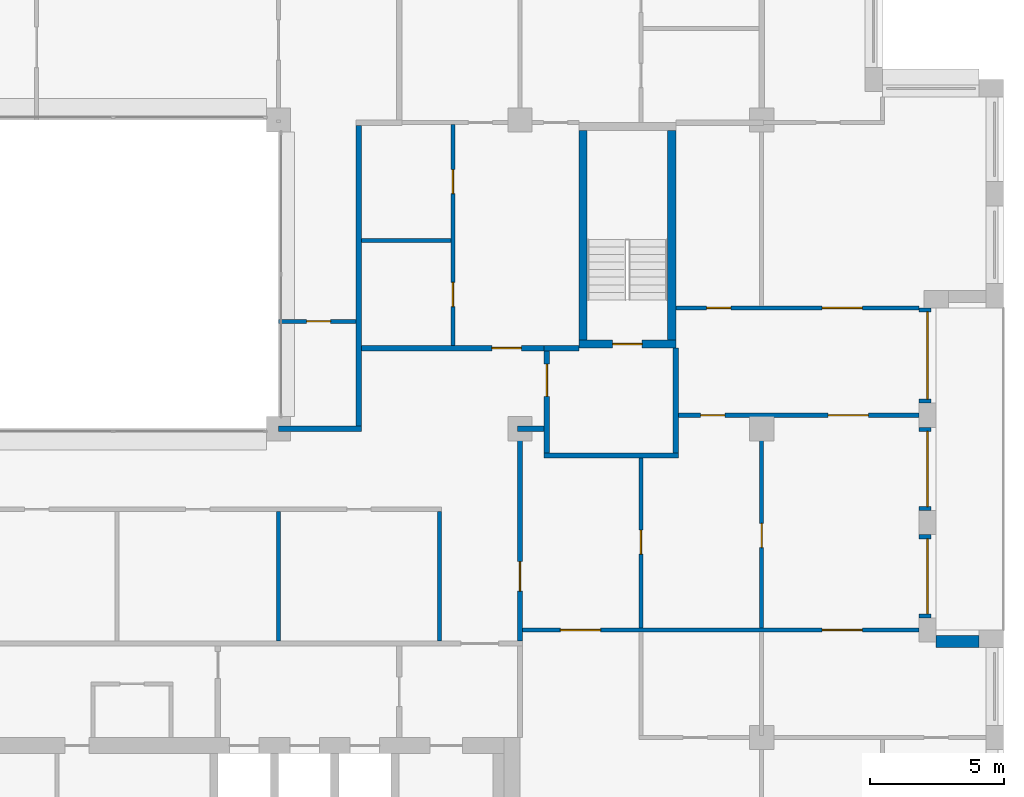
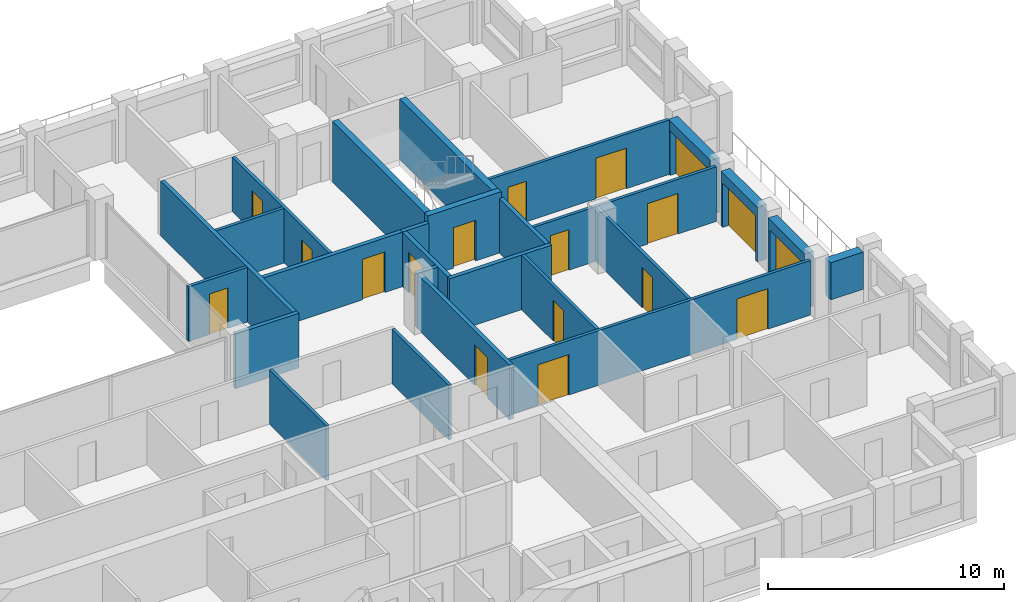
# One storey, part 12 of 16: 26 walls, 18 doors, 18 openings.
"""IFC4 building model written with IfcOpenShell, lengths in metres."""

from ifc_helpers import new_model, si_unit, direction, frame, frame_2d, origin, place, context, subcontext, project, spatial, rectangle, extrude, material, layer, layer_set, type_object, element, fill, save


model = new_model("IFC4")

# Units and contexts
model_context = context("Model", 3, precision=1e-05, world=origin(), true_north=direction((0.0, 1.0)))
body_context = subcontext(model_context, "Body", "Model", "MODEL_VIEW")
ifc_project = project(units=[si_unit("LENGTHUNIT", "METRE"), si_unit("AREAUNIT", "SQUARE_METRE"), si_unit("VOLUMEUNIT", "CUBIC_METRE"), si_unit("PLANEANGLEUNIT", "RADIAN"), si_unit("MASSUNIT", "GRAM", prefix="KILO")], contexts=[model_context])

# Site, building, storey
site_placement = place(None, origin())
site = spatial("IfcSite", under=ifc_project, at=site_placement, CompositionType="ELEMENT")
building_placement = place(site_placement, origin())
building = spatial("IfcBuilding", under=site, at=building_placement, Name="Brigalow Station Residences", CompositionType="ELEMENT")
storey_placement = place(building_placement, frame((0.0, 0.0, 201.14990234375)))
storey = spatial("IfcBuildingStorey", under=building, at=storey_placement, Name="L57", CompositionType="ELEMENT", Elevation=201.14990234375)

# Wall
ifc_material_1 = material(Name="Clay brick masonry", Category="masonry")
ifc_layer_1 = layer(ifc_material_1, 0.449951171875)
ifc_layer_set_1 = layer_set([ifc_layer_1], Name="BRICK INFILL WALL 450")
wall_type_1 = type_object("IfcWallType", Name="BRICK INFILL WALL 450", PredefinedType="SOLIDWALL", material=ifc_layer_set_1)
wall_1_placement = place(storey_placement, frame((71.10009765625, 16.074951171875, 0.900146484375), z_axis=(0.0, 0.0, 1.0), x_axis=(-1.0, 0.0, 0.0)))
element("IfcWall", 1, at=wall_1_placement, inside=storey, type_object=wall_type_1, Name="L57/ewall/W-L57-11", PredefinedType="SOLIDWALL", context=body_context, shape_type="SweptSolid", body=[
    extrude(rectangle(XDim=1.60009765625, YDim=0.449951171875, at=frame_2d((0.800048828125, 0.0))), origin(), (0.0, 0.0, 1.0), 1.929931640625),
])

# Wall, opening, door
wall_2_placement = place(storey_placement, frame((69.074951171875, 16.949951171875, 0.0), z_axis=(0.0, 0.0, 1.0), x_axis=(0.0, 1.0, 0.0)))
wall_2 = element("IfcWall", 2, at=wall_2_placement, inside=storey, type_object=wall_type_1, Name="L57/ewall/W-L57-12", PredefinedType="SOLIDWALL", context=body_context, shape_type="SweptSolid", body=[
    extrude(rectangle(XDim=3.10009765625, YDim=0.449951171875, at=frame_2d((1.550048828125, 0.0))), origin(), (0.0, 0.0, 1.0), 2.830078125),
])
opening_1_placement = place(wall_2_placement, frame((0.14990234375, 0.0, 0.0)))
opening_1 = element("IfcOpeningElement", 3, at=opening_1_placement, cuts=wall_2, Name="Opening D-B2800", PredefinedType="OPENING", context=body_context, shape_type="SweptSolid", body=[
    extrude(rectangle(XDim=2.800048828125, YDim=2.300048828125, at=frame_2d((1.39990234375, 1.14990234375))), frame((0.0, 0.23486328125, 0.0), z_axis=(0.0, -1.0, 0.0), x_axis=(1.0, 0.0, 0.0)), (0.0, 0.0, 1.0), 0.469970703125),
])
ifc_material_2 = material(Name="Anodised aluminium frame with double glazing", Category="aluminium")
door_type_1 = type_object("IfcDoorType", Name="BALCONY SLIDING DOOR 2800x2300", OperationType="SLIDING_TO_LEFT", PredefinedType="DOOR", material=ifc_material_2)
door_1_placement = place(opening_1_placement, origin())
door_1 = element("IfcDoor", 4, at=door_1_placement, inside=storey, type_object=door_type_1, Name="L57/balcony-door/W-L57-12", OperationType="SLIDING_TO_LEFT", OverallHeight=2.300048828125, OverallWidth=2.800048828125, PredefinedType="DOOR", context=body_context, shape_type="SweptSolid", body=[
    extrude(rectangle(XDim=2.800048828125, YDim=2.300048828125, at=frame_2d((1.39990234375, 1.14990234375))), frame((0.0, -0.06982421875, 0.0), z_axis=(0.0, -1.0, 0.0), x_axis=(1.0, 0.0, 0.0)), (0.0, 0.0, 1.0), 0.050048828125),
])
fill(opening_1, door_1)

wall_3_placement = place(storey_placement, frame((69.074951171875, 20.949951171875, 0.0), z_axis=(0.0, 0.0, 1.0), x_axis=(0.0, 1.0, 0.0)))
wall_3 = element("IfcWall", 5, at=wall_3_placement, inside=storey, type_object=wall_type_1, Name="L57/ewall/W-L57-13", PredefinedType="SOLIDWALL", context=body_context, shape_type="SweptSolid", body=[
    extrude(rectangle(XDim=3.10009765625, YDim=0.449951171875, at=frame_2d((1.550048828125, 0.0))), origin(), (0.0, 0.0, 1.0), 2.830078125),
])
opening_2_placement = place(wall_3_placement, frame((0.14990234375, 0.0, 0.0)))
opening_2 = element("IfcOpeningElement", 6, at=opening_2_placement, cuts=wall_3, Name="Opening D-B2800", PredefinedType="OPENING", context=body_context, shape_type="SweptSolid", body=[
    extrude(rectangle(XDim=2.800048828125, YDim=2.300048828125, at=frame_2d((1.39990234375, 1.14990234375))), frame((0.0, 0.23486328125, 0.0), z_axis=(0.0, -1.0, 0.0), x_axis=(1.0, 0.0, 0.0)), (0.0, 0.0, 1.0), 0.469970703125),
])
door_2_placement = place(opening_2_placement, origin())
door_2 = element("IfcDoor", 7, at=door_2_placement, inside=storey, type_object=door_type_1, Name="L57/balcony-door/W-L57-13", OperationType="SLIDING_TO_LEFT", OverallHeight=2.300048828125, OverallWidth=2.800048828125, PredefinedType="DOOR", context=body_context, shape_type="SweptSolid", body=[
    extrude(rectangle(XDim=2.800048828125, YDim=2.300048828125, at=frame_2d((1.39990234375, 1.14990234375))), frame((0.0, -0.06982421875, 0.0), z_axis=(0.0, -1.0, 0.0), x_axis=(1.0, 0.0, 0.0)), (0.0, 0.0, 1.0), 0.050048828125),
])
fill(opening_2, door_2)

wall_4_placement = place(storey_placement, frame((69.074951171875, 24.949951171875, 0.0), z_axis=(0.0, 0.0, 1.0), x_axis=(0.0, 1.0, 0.0)))
wall_4 = element("IfcWall", 8, at=wall_4_placement, inside=storey, type_object=wall_type_1, Name="L57/ewall/W-L57-14", PredefinedType="SOLIDWALL", context=body_context, shape_type="SweptSolid", body=[
    extrude(rectangle(XDim=3.550048828125, YDim=0.449951171875, at=frame_2d((1.77490234375, 0.0))), origin(), (0.0, 0.0, 1.0), 2.830078125),
])
opening_3_placement = place(wall_4_placement, frame((0.14990234375, 0.0, 0.0)))
opening_3 = element("IfcOpeningElement", 9, at=opening_3_placement, cuts=wall_4, Name="Opening D-B3250", PredefinedType="OPENING", context=body_context, shape_type="SweptSolid", body=[
    extrude(rectangle(XDim=3.25, YDim=2.300048828125, at=frame_2d((1.625, 1.14990234375))), frame((0.0, 0.23486328125, 0.0), z_axis=(0.0, -1.0, 0.0), x_axis=(1.0, 0.0, 0.0)), (0.0, 0.0, 1.0), 0.469970703125),
])
ifc_material_3 = material(Name="Anodised aluminium frame with double glazing", Category="aluminium")
door_type_2 = type_object("IfcDoorType", Name="BALCONY SLIDING DOOR 3250x2300", OperationType="SLIDING_TO_LEFT", PredefinedType="DOOR", material=ifc_material_3)
door_3_placement = place(opening_3_placement, origin())
door_3 = element("IfcDoor", 10, at=door_3_placement, inside=storey, type_object=door_type_2, Name="L57/balcony-door/W-L57-14", OperationType="SLIDING_TO_LEFT", OverallHeight=2.300048828125, OverallWidth=3.25, PredefinedType="DOOR", context=body_context, shape_type="SweptSolid", body=[
    extrude(rectangle(XDim=3.25, YDim=2.300048828125, at=frame_2d((1.625, 1.14990234375))), frame((0.0, -0.06982421875, 0.0), z_axis=(0.0, -1.0, 0.0), x_axis=(1.0, 0.0, 0.0)), (0.0, 0.0, 1.0), 0.050048828125),
])
fill(opening_3, door_3)

ifc_material_4 = material(Name="Concrete C50", Category="concrete")
ifc_layer_2 = layer(ifc_material_4, 0.300048828125)
ifc_layer_set_2 = layer_set([ifc_layer_2], Name="CORE SHEAR WALL 300 C50")
wall_type_2 = type_object("IfcWallType", Name="CORE SHEAR WALL 300 C50", PredefinedType="SHEAR", material=ifc_layer_set_2)
wall_5_placement = place(storey_placement, frame((56.199951171875, 27.14990234375, 0.0), z_axis=(0.0, 0.0, 1.0), x_axis=(1.0, 0.0, 0.0)))
wall_5 = element("IfcWall", 11, at=wall_5_placement, inside=storey, type_object=wall_type_2, Name="CORE WALL ST-S3-S L57", PredefinedType="SHEAR", context=body_context, shape_type="SweptSolid", body=[
    extrude(rectangle(XDim=3.60009765625, YDim=0.300048828125, at=frame_2d((1.800048828125, 0.0))), origin(), (0.0, 0.0, 1.0), 3.150146484375),
])
opening_4_placement = place(wall_5_placement, frame((1.25, 0.0, 0.0)))
opening_4 = element("IfcOpeningElement", 12, at=opening_4_placement, cuts=wall_5, Name="Opening D-5018", PredefinedType="OPENING", context=body_context, shape_type="SweptSolid", body=[
    extrude(rectangle(XDim=1.10009765625, YDim=2.10009765625, at=frame_2d((0.550048828125, 1.050048828125))), frame((0.0, 0.16015625, 0.0), z_axis=(0.0, -1.0, 0.0), x_axis=(1.0, 0.0, 0.0)), (0.0, 0.0, 1.0), 0.320068359375),
])
ifc_material_5 = material(Name="Steel fire door leaf in steel frame", Category="steel")
door_type_3 = type_object("IfcDoorType", Name="STAIR DOOR 1100 x 2100 FD60S", OperationType="SINGLE_SWING_LEFT", PredefinedType="DOOR", material=ifc_material_5)
door_4_placement = place(opening_4_placement, origin())
door_4 = element("IfcDoor", 13, at=door_4_placement, inside=storey, type_object=door_type_3, Name="D-5018", OperationType="SINGLE_SWING_LEFT", OverallHeight=2.10009765625, OverallWidth=1.10009765625, PredefinedType="DOOR", context=body_context, shape_type="SweptSolid", body=[
    extrude(rectangle(XDim=1.10009765625, YDim=2.10009765625, at=frame_2d((0.550048828125, 1.050048828125))), frame((0.0, 0.02490234375, 0.0), z_axis=(0.0, -1.0, 0.0), x_axis=(1.0, 0.0, 0.0)), (0.0, 0.0, 1.0), 0.050048828125),
])
fill(opening_4, door_4)

# Walls
for number, where, z_axis, x_axis, name in (
    (14, (56.35009765625, 27.300048828125, 0.0), (0.0, 0.0, 1.0), (0.0, 1.0, 0.0), "CORE WALL ST-S3-W L57"),
    (15, (59.64990234375, 27.300048828125, 0.0), (0.0, 0.0, 1.0), (0.0, 1.0, 0.0), "CORE WALL ST-S3-E L57"),
):
    element("IfcWall", number, at=place(storey_placement, frame(where, z_axis=z_axis, x_axis=x_axis)), inside=storey, type_object=wall_type_2, Name=name, PredefinedType="SHEAR", context=body_context, shape_type="SweptSolid", body=[
        extrude(rectangle(XDim=7.800048828125, YDim=0.300048828125, at=frame_2d((3.89990234375, 0.0))), origin(), (0.0, 0.0, 1.0), 3.150146484375),
    ])
ifc_material_6 = material(Name="Concrete blockwork", Category="masonry")
ifc_layer_3 = layer(ifc_material_6, 0.199951171875)
ifc_layer_set_3 = layer_set([ifc_layer_3], Name="FIRE RATED CORE PARTITION 200")
wall_type_3 = type_object("IfcWallType", Name="FIRE RATED CORE PARTITION 200", PredefinedType="PARTITIONING", material=ifc_layer_set_3)
wall_6_placement = place(storey_placement, frame((54.89990234375, 23.0, 0.0), z_axis=(0.0, 0.0, 1.0), x_axis=(1.0, 0.0, 0.0)))
element("IfcWall", 16, at=wall_6_placement, inside=storey, type_object=wall_type_3, Name="PW-5024", PredefinedType="PARTITIONING", context=body_context, shape_type="SweptSolid", body=[
    extrude(rectangle(XDim=5.0, YDim=0.199951171875, at=frame_2d((2.5, 0.0))), origin(), (0.0, 0.0, 1.0), 2.830078125),
])
wall_7_placement = place(storey_placement, frame((54.89990234375, 27.0, 0.0), z_axis=(0.0, 0.0, 1.0), x_axis=(1.0, 0.0, 0.0)))
element("IfcWall", 17, at=wall_7_placement, inside=storey, type_object=wall_type_3, Name="PW-5026", PredefinedType="PARTITIONING", context=body_context, shape_type="SweptSolid", body=[
    extrude(rectangle(XDim=1.300048828125, YDim=0.199951171875, at=frame_2d((0.64990234375, 0.0))), origin(), (0.0, 0.0, 1.0), 2.830078125),
])

# Wall, opening, door
wall_8_placement = place(storey_placement, frame((55.0, 23.10009765625, 0.0), z_axis=(0.0, 0.0, 1.0), x_axis=(0.0, 1.0, 0.0)))
wall_8 = element("IfcWall", 18, at=wall_8_placement, inside=storey, type_object=wall_type_3, Name="PW-5036", PredefinedType="PARTITIONING", context=body_context, shape_type="SweptSolid", body=[
    extrude(rectangle(XDim=3.7998046875, YDim=0.199951171875, at=frame_2d((1.89990234375, 0.0))), origin(), (0.0, 0.0, 1.0), 2.830078125),
])
opening_5_placement = place(wall_8_placement, frame((2.10009765625, 0.0, 0.0)))
opening_5 = element("IfcOpeningElement", 19, at=opening_5_placement, cuts=wall_8, Name="Opening D-5019", PredefinedType="OPENING", context=body_context, shape_type="SweptSolid", body=[
    extrude(rectangle(XDim=1.199951171875, YDim=2.10009765625, at=frame_2d((0.60009765625, 1.050048828125))), frame((0.0, 0.10986328125, 0.0), z_axis=(0.0, -1.0, 0.0), x_axis=(1.0, 0.0, 0.0)), (0.0, 0.0, 1.0), 0.219970703125),
])
ifc_material_7 = material(Name="Steel fire door leaf in steel frame", Category="steel")
door_type_4 = type_object("IfcDoorType", Name="STAIR LOBBY DOOR 1200 x 2100 FD60S", OperationType="SINGLE_SWING_LEFT", PredefinedType="DOOR", material=ifc_material_7)
door_5_placement = place(opening_5_placement, frame((1.199951171875, 0.0, 0.0), z_axis=(0.0, 0.0, 1.0), x_axis=(-1.0, 0.0, 0.0)))
door_5 = element("IfcDoor", 20, at=door_5_placement, inside=storey, type_object=door_type_4, Name="D-5019", OperationType="SINGLE_SWING_LEFT", OverallHeight=2.10009765625, OverallWidth=1.199951171875, PredefinedType="DOOR", context=body_context, shape_type="SweptSolid", body=[
    extrude(rectangle(XDim=1.199951171875, YDim=2.10009765625, at=frame_2d((0.60009765625, 1.050048828125))), frame((0.0, 0.02490234375, 0.0), z_axis=(0.0, -1.0, 0.0), x_axis=(1.0, 0.0, 0.0)), (0.0, 0.0, 1.0), 0.050048828125),
])
fill(opening_5, door_5)

# Wall
wall_9_placement = place(storey_placement, frame((59.800048828125, 23.10009765625, 0.0), z_axis=(0.0, 0.0, 1.0), x_axis=(0.0, 1.0, 0.0)))
element("IfcWall", 21, at=wall_9_placement, inside=storey, type_object=wall_type_3, Name="PW-5037", PredefinedType="PARTITIONING", context=body_context, shape_type="SweptSolid", body=[
    extrude(rectangle(XDim=3.89990234375, YDim=0.199951171875, at=frame_2d((1.949951171875, 0.0))), origin(), (0.0, 0.0, 1.0), 2.830078125),
])

# Wall, openings, doors
ifc_material_8 = material(Name="Plasterboard on steel stud partition", Category="steel")
ifc_layer_4 = layer(ifc_material_8, 0.14990234375)
ifc_layer_set_4 = layer_set([ifc_layer_4], Name="FLAT PARTITION 150")
wall_type_4 = type_object("IfcWallType", Name="FLAT PARTITION 150", PredefinedType="PARTITIONING", material=ifc_layer_set_4)
wall_10_placement = place(storey_placement, frame((54.10009765625, 16.5, 0.0), z_axis=(0.0, 0.0, 1.0), x_axis=(1.0, 0.0, 0.0)))
wall_10 = element("IfcWall", 22, at=wall_10_placement, inside=storey, type_object=wall_type_4, Name="PW-4A11", PredefinedType="PARTITIONING", context=body_context, shape_type="SweptSolid", body=[
    extrude(rectangle(XDim=14.75, YDim=0.14990234375, at=frame_2d((7.375, 0.0))), origin(), (0.0, 0.0, 1.0), 2.830078125),
])
opening_6_placement = place(wall_10_placement, frame((1.39990234375, 0.0, 0.0)))
opening_6 = element("IfcOpeningElement", 23, at=opening_6_placement, cuts=wall_10, Name="Opening D-4A32", PredefinedType="OPENING", context=body_context, shape_type="SweptSolid", body=[
    extrude(rectangle(XDim=1.5, YDim=2.10009765625, at=frame_2d((0.75, 1.050048828125))), frame((0.0, 0.0849609375, 0.0), z_axis=(0.0, -1.0, 0.0), x_axis=(1.0, 0.0, 0.0)), (0.0, 0.0, 1.0), 0.169921875),
])
opening_7_placement = place(wall_10_placement, frame((11.14990234375, 0.0, 0.0)))
opening_7 = element("IfcOpeningElement", 24, at=opening_7_placement, cuts=wall_10, Name="Opening D-4A40", PredefinedType="OPENING", context=body_context, shape_type="SweptSolid", body=[
    extrude(rectangle(XDim=1.5, YDim=2.10009765625, at=frame_2d((0.75, 1.050048828125))), frame((0.0, 0.0849609375, 0.0), z_axis=(0.0, -1.0, 0.0), x_axis=(1.0, 0.0, 0.0)), (0.0, 0.0, 1.0), 0.169921875),
])
ifc_material_9 = material(Name="Solid-core timber door leaf", Category="wood")
door_type_5 = type_object("IfcDoorType", Name="INTERNAL DOUBLE DOOR 1500 x 2100", OperationType="DOUBLE_DOOR_SINGLE_SWING", PredefinedType="DOOR", material=ifc_material_9)
door_6_placement = place(opening_6_placement, origin())
door_6 = element("IfcDoor", 25, at=door_6_placement, inside=storey, type_object=door_type_5, Name="D-4A32", OperationType="DOUBLE_DOOR_SINGLE_SWING", OverallHeight=2.10009765625, OverallWidth=1.5, PredefinedType="DOOR", context=body_context, shape_type="SweptSolid", body=[
    extrude(rectangle(XDim=1.5, YDim=2.10009765625, at=frame_2d((0.75, 1.050048828125))), frame((0.0, 0.02490234375, 0.0), z_axis=(0.0, -1.0, 0.0), x_axis=(1.0, 0.0, 0.0)), (0.0, 0.0, 1.0), 0.050048828125),
])
fill(opening_6, door_6)
door_7_placement = place(opening_7_placement, frame((1.5, 0.0, 0.0), z_axis=(0.0, 0.0, 1.0), x_axis=(-1.0, 0.0, 0.0)))
door_7 = element("IfcDoor", 26, at=door_7_placement, inside=storey, type_object=door_type_5, Name="D-4A40", OperationType="DOUBLE_DOOR_SINGLE_SWING", OverallHeight=2.10009765625, OverallWidth=1.5, PredefinedType="DOOR", context=body_context, shape_type="SweptSolid", body=[
    extrude(rectangle(XDim=1.5, YDim=2.10009765625, at=frame_2d((0.75, 1.050048828125))), frame((0.0, 0.02490234375, 0.0), z_axis=(0.0, -1.0, 0.0), x_axis=(1.0, 0.0, 0.0)), (0.0, 0.0, 1.0), 0.050048828125),
])
fill(opening_7, door_7)

# Wall, opening, door
wall_11_placement = place(storey_placement, frame((45.0, 28.0, 0.0), z_axis=(0.0, 0.0, 1.0), x_axis=(1.0, 0.0, 0.0)))
wall_11 = element("IfcWall", 27, at=wall_11_placement, inside=storey, type_object=wall_type_4, Name="PW-4A26", PredefinedType="PARTITIONING", context=body_context, shape_type="SweptSolid", body=[
    extrude(rectangle(XDim=2.89990234375, YDim=0.14990234375, at=frame_2d((1.449951171875, 0.0))), origin(), (0.0, 0.0, 1.0), 2.830078125),
])
opening_8_placement = place(wall_11_placement, frame((1.050048828125, 0.0, 0.0)))
opening_8 = element("IfcOpeningElement", 28, at=opening_8_placement, cuts=wall_11, Name="Opening D-4A23", PredefinedType="OPENING", context=body_context, shape_type="SweptSolid", body=[
    extrude(rectangle(XDim=0.89990234375, YDim=2.10009765625, at=frame_2d((0.449951171875, 1.050048828125))), frame((0.0, 0.0849609375, 0.0), z_axis=(0.0, -1.0, 0.0), x_axis=(1.0, 0.0, 0.0)), (0.0, 0.0, 1.0), 0.169921875),
])
ifc_material_10 = material(Name="Solid-core timber door leaf", Category="wood")
door_type_6 = type_object("IfcDoorType", Name="INTERNAL DOOR 900 x 2100", OperationType="SINGLE_SWING_LEFT", PredefinedType="DOOR", material=ifc_material_10)
door_8_placement = place(opening_8_placement, frame((0.89990234375, 0.0, 0.0), z_axis=(0.0, 0.0, 1.0), x_axis=(-1.0, 0.0, 0.0)))
door_8 = element("IfcDoor", 29, at=door_8_placement, inside=storey, type_object=door_type_6, Name="D-4A23", OperationType="SINGLE_SWING_LEFT", OverallHeight=2.10009765625, OverallWidth=0.89990234375, PredefinedType="DOOR", context=body_context, shape_type="SweptSolid", body=[
    extrude(rectangle(XDim=0.89990234375, YDim=2.10009765625, at=frame_2d((0.449951171875, 1.050048828125))), frame((0.0, 0.02490234375, 0.0), z_axis=(0.0, -1.0, 0.0), x_axis=(1.0, 0.0, 0.0)), (0.0, 0.0, 1.0), 0.050048828125),
])
fill(opening_8, door_8)

# Wall
wall_12_placement = place(storey_placement, frame((48.10009765625, 31.0, 0.0), z_axis=(0.0, 0.0, 1.0), x_axis=(1.0, 0.0, 0.0)))
element("IfcWall", 30, at=wall_12_placement, inside=storey, type_object=wall_type_4, Name="PW-4A27", PredefinedType="PARTITIONING", context=body_context, shape_type="SweptSolid", body=[
    extrude(rectangle(XDim=3.324951171875, YDim=0.14990234375, at=frame_2d((1.66259765625, 0.0))), origin(), (0.0, 0.0, 1.0), 2.830078125),
])

# Wall, openings, doors
wall_13_placement = place(storey_placement, frame((59.89990234375, 24.5, 0.0), z_axis=(0.0, 0.0, 1.0), x_axis=(1.0, 0.0, 0.0)))
wall_13 = element("IfcWall", 31, at=wall_13_placement, inside=storey, type_object=wall_type_4, Name="PW-4A30", PredefinedType="PARTITIONING", context=body_context, shape_type="SweptSolid", body=[
    extrude(rectangle(XDim=8.9501953125, YDim=0.14990234375, at=frame_2d((4.47509765625, 0.0))), origin(), (0.0, 0.0, 1.0), 2.830078125),
])
opening_9_placement = place(wall_13_placement, frame((5.574951171875, 0.0, 0.0)))
opening_9 = element("IfcOpeningElement", 32, at=opening_9_placement, cuts=wall_13, Name="Opening D-4A42", PredefinedType="OPENING", context=body_context, shape_type="SweptSolid", body=[
    extrude(rectangle(XDim=1.5, YDim=2.10009765625, at=frame_2d((0.75, 1.050048828125))), frame((0.0, 0.0849609375, 0.0), z_axis=(0.0, -1.0, 0.0), x_axis=(1.0, 0.0, 0.0)), (0.0, 0.0, 1.0), 0.169921875),
])
opening_10_placement = place(wall_13_placement, frame((0.824951171875, 0.0, 0.0)))
opening_10 = element("IfcOpeningElement", 33, at=opening_10_placement, cuts=wall_13, Name="Opening D-4A43", PredefinedType="OPENING", context=body_context, shape_type="SweptSolid", body=[
    extrude(rectangle(XDim=0.89990234375, YDim=2.10009765625, at=frame_2d((0.449951171875, 1.050048828125))), frame((0.0, 0.0849609375, 0.0), z_axis=(0.0, -1.0, 0.0), x_axis=(1.0, 0.0, 0.0)), (0.0, 0.0, 1.0), 0.169921875),
])
door_9_placement = place(opening_10_placement, frame((0.89990234375, 0.0, 0.0), z_axis=(0.0, 0.0, 1.0), x_axis=(-1.0, 0.0, 0.0)))
door_9 = element("IfcDoor", 34, at=door_9_placement, inside=storey, type_object=door_type_6, Name="D-4A43", OperationType="SINGLE_SWING_RIGHT", OverallHeight=2.10009765625, OverallWidth=0.89990234375, PredefinedType="DOOR", context=body_context, shape_type="SweptSolid", body=[
    extrude(rectangle(XDim=0.89990234375, YDim=2.10009765625, at=frame_2d((0.449951171875, 1.050048828125))), frame((0.0, 0.02490234375, 0.0), z_axis=(0.0, -1.0, 0.0), x_axis=(1.0, 0.0, 0.0)), (0.0, 0.0, 1.0), 0.050048828125),
])
fill(opening_10, door_9)
door_10_placement = place(opening_9_placement, origin())
door_10 = element("IfcDoor", 35, at=door_10_placement, inside=storey, type_object=door_type_5, Name="D-4A42", OperationType="DOUBLE_DOOR_SINGLE_SWING", OverallHeight=2.10009765625, OverallWidth=1.5, PredefinedType="DOOR", context=body_context, shape_type="SweptSolid", body=[
    extrude(rectangle(XDim=1.5, YDim=2.10009765625, at=frame_2d((0.75, 1.050048828125))), frame((0.0, 0.02490234375, 0.0), z_axis=(0.0, -1.0, 0.0), x_axis=(1.0, 0.0, 0.0)), (0.0, 0.0, 1.0), 0.050048828125),
])
fill(opening_9, door_10)

wall_14_placement = place(storey_placement, frame((59.800048828125, 28.5, 0.0), z_axis=(0.0, 0.0, 1.0), x_axis=(1.0, 0.0, 0.0)))
wall_14 = element("IfcWall", 36, at=wall_14_placement, inside=storey, type_object=wall_type_4, Name="PW-4A31", PredefinedType="PARTITIONING", context=body_context, shape_type="SweptSolid", body=[
    extrude(rectangle(XDim=9.050048828125, YDim=0.14990234375, at=frame_2d((4.52490234375, 0.0))), origin(), (0.0, 0.0, 1.0), 2.830078125),
])
opening_11_placement = place(wall_14_placement, frame((1.14990234375, 0.0, 0.0)))
opening_11 = element("IfcOpeningElement", 37, at=opening_11_placement, cuts=wall_14, Name="Opening D-4A44", PredefinedType="OPENING", context=body_context, shape_type="SweptSolid", body=[
    extrude(rectangle(XDim=0.89990234375, YDim=2.10009765625, at=frame_2d((0.449951171875, 1.050048828125))), frame((0.0, 0.0849609375, 0.0), z_axis=(0.0, -1.0, 0.0), x_axis=(1.0, 0.0, 0.0)), (0.0, 0.0, 1.0), 0.169921875),
])
opening_12_placement = place(wall_14_placement, frame((5.449951171875, 0.0, 0.0)))
opening_12 = element("IfcOpeningElement", 38, at=opening_12_placement, cuts=wall_14, Name="Opening D-4A45", PredefinedType="OPENING", context=body_context, shape_type="SweptSolid", body=[
    extrude(rectangle(XDim=1.5, YDim=2.10009765625, at=frame_2d((0.75, 1.050048828125))), frame((0.0, 0.0849609375, 0.0), z_axis=(0.0, -1.0, 0.0), x_axis=(1.0, 0.0, 0.0)), (0.0, 0.0, 1.0), 0.169921875),
])
door_11_placement = place(opening_11_placement, origin())
door_11 = element("IfcDoor", 39, at=door_11_placement, inside=storey, type_object=door_type_6, Name="D-4A44", OperationType="SINGLE_SWING_RIGHT", OverallHeight=2.10009765625, OverallWidth=0.89990234375, PredefinedType="DOOR", context=body_context, shape_type="SweptSolid", body=[
    extrude(rectangle(XDim=0.89990234375, YDim=2.10009765625, at=frame_2d((0.449951171875, 1.050048828125))), frame((0.0, 0.02490234375, 0.0), z_axis=(0.0, -1.0, 0.0), x_axis=(1.0, 0.0, 0.0)), (0.0, 0.0, 1.0), 0.050048828125),
])
fill(opening_11, door_11)
door_12_placement = place(opening_12_placement, frame((1.5, 0.0, 0.0), z_axis=(0.0, 0.0, 1.0), x_axis=(-1.0, 0.0, 0.0)))
door_12 = element("IfcDoor", 40, at=door_12_placement, inside=storey, type_object=door_type_5, Name="D-4A45", OperationType="DOUBLE_DOOR_SINGLE_SWING", OverallHeight=2.10009765625, OverallWidth=1.5, PredefinedType="DOOR", context=body_context, shape_type="SweptSolid", body=[
    extrude(rectangle(XDim=1.5, YDim=2.10009765625, at=frame_2d((0.75, 1.050048828125))), frame((0.0, 0.02490234375, 0.0), z_axis=(0.0, -1.0, 0.0), x_axis=(1.0, 0.0, 0.0)), (0.0, 0.0, 1.0), 0.050048828125),
])
fill(opening_12, door_12)

# Walls
for number, where, z_axis, x_axis, name in (
    (41, (51.0, 16.10009765625, 0.0), (0.0, 0.0, 1.0), (0.0, 1.0, 0.0), "PW-4A38"),
    (42, (45.0, 16.10009765625, 0.0), (0.0, 0.0, 1.0), (0.0, 1.0, 0.0), "PW-4A48"),
):
    element("IfcWall", number, at=place(storey_placement, frame(where, z_axis=z_axis, x_axis=x_axis)), inside=storey, type_object=wall_type_4, Name=name, PredefinedType="PARTITIONING", context=body_context, shape_type="SweptSolid", body=[
        extrude(rectangle(XDim=4.824951171875, YDim=0.14990234375, at=frame_2d((2.41259765625, 0.0))), origin(), (0.0, 0.0, 1.0), 2.830078125),
    ])

# Wall, openings, doors
wall_15_placement = place(storey_placement, frame((51.5, 27.10009765625, 0.0), z_axis=(0.0, 0.0, 1.0), x_axis=(0.0, 1.0, 0.0)))
wall_15 = element("IfcWall", 43, at=wall_15_placement, inside=storey, type_object=wall_type_4, Name="PW-4A52", PredefinedType="PARTITIONING", context=body_context, shape_type="SweptSolid", body=[
    extrude(rectangle(XDim=8.224853515625, YDim=0.14990234375, at=frame_2d((4.1123046875, 0.0))), origin(), (0.0, 0.0, 1.0), 2.830078125),
])
opening_13_placement = place(wall_15_placement, frame((1.449951171875, 0.0, 0.0)))
opening_13 = element("IfcOpeningElement", 44, at=opening_13_placement, cuts=wall_15, Name="Opening D-4A25", PredefinedType="OPENING", context=body_context, shape_type="SweptSolid", body=[
    extrude(rectangle(XDim=0.89990234375, YDim=2.10009765625, at=frame_2d((0.449951171875, 1.050048828125))), frame((0.0, 0.0849609375, 0.0), z_axis=(0.0, -1.0, 0.0), x_axis=(1.0, 0.0, 0.0)), (0.0, 0.0, 1.0), 0.169921875),
])
opening_14_placement = place(wall_15_placement, frame((5.64990234375, 0.0, 0.0)))
opening_14 = element("IfcOpeningElement", 45, at=opening_14_placement, cuts=wall_15, Name="Opening D-4A26", PredefinedType="OPENING", context=body_context, shape_type="SweptSolid", body=[
    extrude(rectangle(XDim=0.89990234375, YDim=2.10009765625, at=frame_2d((0.449951171875, 1.050048828125))), frame((0.0, 0.0849609375, 0.0), z_axis=(0.0, -1.0, 0.0), x_axis=(1.0, 0.0, 0.0)), (0.0, 0.0, 1.0), 0.169921875),
])
door_13_placement = place(opening_13_placement, origin())
door_13 = element("IfcDoor", 46, at=door_13_placement, inside=storey, type_object=door_type_6, Name="D-4A25", OperationType="SINGLE_SWING_LEFT", OverallHeight=2.10009765625, OverallWidth=0.89990234375, PredefinedType="DOOR", context=body_context, shape_type="SweptSolid", body=[
    extrude(rectangle(XDim=0.89990234375, YDim=2.10009765625, at=frame_2d((0.449951171875, 1.050048828125))), frame((0.0, 0.02490234375, 0.0), z_axis=(0.0, -1.0, 0.0), x_axis=(1.0, 0.0, 0.0)), (0.0, 0.0, 1.0), 0.050048828125),
])
fill(opening_13, door_13)
door_14_placement = place(opening_14_placement, origin())
door_14 = element("IfcDoor", 47, at=door_14_placement, inside=storey, type_object=door_type_6, Name="D-4A26", OperationType="SINGLE_SWING_LEFT", OverallHeight=2.10009765625, OverallWidth=0.89990234375, PredefinedType="DOOR", context=body_context, shape_type="SweptSolid", body=[
    extrude(rectangle(XDim=0.89990234375, YDim=2.10009765625, at=frame_2d((0.449951171875, 1.050048828125))), frame((0.0, 0.02490234375, 0.0), z_axis=(0.0, -1.0, 0.0), x_axis=(1.0, 0.0, 0.0)), (0.0, 0.0, 1.0), 0.050048828125),
])
fill(opening_14, door_14)

# Wall, opening, door
wall_16_placement = place(storey_placement, frame((58.5, 16.574951171875, 0.0), z_axis=(0.0, 0.0, 1.0), x_axis=(0.0, 1.0, 0.0)))
wall_16 = element("IfcWall", 48, at=wall_16_placement, inside=storey, type_object=wall_type_4, Name="PW-4A55", PredefinedType="PARTITIONING", context=body_context, shape_type="SweptSolid", body=[
    extrude(rectangle(XDim=6.324951171875, YDim=0.14990234375, at=frame_2d((3.16259765625, 0.0))), origin(), (0.0, 0.0, 1.0), 2.830078125),
])
opening_15_placement = place(wall_16_placement, frame((2.75, 0.0, 0.0)))
opening_15 = element("IfcOpeningElement", 49, at=opening_15_placement, cuts=wall_16, Name="Opening D-4A33", PredefinedType="OPENING", context=body_context, shape_type="SweptSolid", body=[
    extrude(rectangle(XDim=0.89990234375, YDim=2.10009765625, at=frame_2d((0.449951171875, 1.050048828125))), frame((0.0, 0.0849609375, 0.0), z_axis=(0.0, -1.0, 0.0), x_axis=(1.0, 0.0, 0.0)), (0.0, 0.0, 1.0), 0.169921875),
])
door_15_placement = place(opening_15_placement, origin())
door_15 = element("IfcDoor", 50, at=door_15_placement, inside=storey, type_object=door_type_6, Name="D-4A33", OperationType="SINGLE_SWING_RIGHT", OverallHeight=2.10009765625, OverallWidth=0.89990234375, PredefinedType="DOOR", context=body_context, shape_type="SweptSolid", body=[
    extrude(rectangle(XDim=0.89990234375, YDim=2.10009765625, at=frame_2d((0.449951171875, 1.050048828125))), frame((0.0, 0.02490234375, 0.0), z_axis=(0.0, -1.0, 0.0), x_axis=(1.0, 0.0, 0.0)), (0.0, 0.0, 1.0), 0.050048828125),
])
fill(opening_15, door_15)

wall_17_placement = place(storey_placement, frame((63.0, 16.574951171875, 0.0), z_axis=(0.0, 0.0, 1.0), x_axis=(0.0, 1.0, 0.0)))
wall_17 = element("IfcWall", 51, at=wall_17_placement, inside=storey, type_object=wall_type_4, Name="PW-4A59", PredefinedType="PARTITIONING", context=body_context, shape_type="SweptSolid", body=[
    extrude(rectangle(XDim=7.85009765625, YDim=0.14990234375, at=frame_2d((3.925048828125, 0.0))), origin(), (0.0, 0.0, 1.0), 2.830078125),
])
opening_16_placement = place(wall_17_placement, frame((3.0, 0.0, 0.0)))
opening_16 = element("IfcOpeningElement", 52, at=opening_16_placement, cuts=wall_17, Name="Opening D-4A41", PredefinedType="OPENING", context=body_context, shape_type="SweptSolid", body=[
    extrude(rectangle(XDim=0.89990234375, YDim=2.10009765625, at=frame_2d((0.449951171875, 1.050048828125))), frame((0.0, 0.0849609375, 0.0), z_axis=(0.0, -1.0, 0.0), x_axis=(1.0, 0.0, 0.0)), (0.0, 0.0, 1.0), 0.169921875),
])
door_16_placement = place(opening_16_placement, origin())
door_16 = element("IfcDoor", 53, at=door_16_placement, inside=storey, type_object=door_type_6, Name="D-4A41", OperationType="SINGLE_SWING_LEFT", OverallHeight=2.10009765625, OverallWidth=0.89990234375, PredefinedType="DOOR", context=body_context, shape_type="SweptSolid", body=[
    extrude(rectangle(XDim=0.89990234375, YDim=2.10009765625, at=frame_2d((0.449951171875, 1.050048828125))), frame((0.0, 0.02490234375, 0.0), z_axis=(0.0, -1.0, 0.0), x_axis=(1.0, 0.0, 0.0)), (0.0, 0.0, 1.0), 0.050048828125),
])
fill(opening_16, door_16)

# Walls
ifc_material_11 = material(Name="Plasterboard on steel stud partition", Category="steel")
ifc_layer_5 = layer(ifc_material_11, 0.199951171875)
ifc_layer_set_5 = layer_set([ifc_layer_5], Name="PARTY AND CORRIDOR WALL 200")
wall_type_5 = type_object("IfcWallType", Name="PARTY AND CORRIDOR WALL 200", PredefinedType="PARTITIONING", material=ifc_layer_set_5)
wall_18_placement = place(storey_placement, frame((45.0, 24.0, 0.0), z_axis=(0.0, 0.0, 1.0), x_axis=(1.0, 0.0, 0.0)))
element("IfcWall", 54, at=wall_18_placement, inside=storey, type_object=wall_type_5, Name="PW-4A03", PredefinedType="PARTITIONING", context=body_context, shape_type="SweptSolid", body=[
    extrude(rectangle(XDim=3.10009765625, YDim=0.199951171875, at=frame_2d((1.550048828125, 0.0))), origin(), (0.0, 0.0, 1.0), 2.830078125),
])
wall_19_placement = place(storey_placement, frame((53.89990234375, 24.0, 0.0), z_axis=(0.0, 0.0, 1.0), x_axis=(1.0, 0.0, 0.0)))
element("IfcWall", 55, at=wall_19_placement, inside=storey, type_object=wall_type_5, Name="PW-4A04", PredefinedType="PARTITIONING", context=body_context, shape_type="SweptSolid", body=[
    extrude(rectangle(XDim=1.0, YDim=0.199951171875, at=frame_2d((0.5, 0.0))), origin(), (0.0, 0.0, 1.0), 2.830078125),
])

# Wall, opening, door
wall_20_placement = place(storey_placement, frame((48.10009765625, 27.0, 0.0), z_axis=(0.0, 0.0, 1.0), x_axis=(1.0, 0.0, 0.0)))
wall_20 = element("IfcWall", 56, at=wall_20_placement, inside=storey, type_object=wall_type_5, Name="PW-4A08", PredefinedType="PARTITIONING", context=body_context, shape_type="SweptSolid", body=[
    extrude(rectangle(XDim=6.7998046875, YDim=0.199951171875, at=frame_2d((3.39990234375, 0.0))), origin(), (0.0, 0.0, 1.0), 2.830078125),
])
opening_17_placement = place(wall_20_placement, frame((4.85009765625, 0.0, 0.0)))
opening_17 = element("IfcOpeningElement", 57, at=opening_17_placement, cuts=wall_20, Name="Opening D-4A24", PredefinedType="OPENING", context=body_context, shape_type="SweptSolid", body=[
    extrude(rectangle(XDim=1.10009765625, YDim=2.10009765625, at=frame_2d((0.550048828125, 1.050048828125))), frame((0.0, 0.10986328125, 0.0), z_axis=(0.0, -1.0, 0.0), x_axis=(1.0, 0.0, 0.0)), (0.0, 0.0, 1.0), 0.219970703125),
])
ifc_material_12 = material(Name="Solid-core timber door leaf", Category="wood")
door_type_7 = type_object("IfcDoorType", Name="FLAT ENTRANCE DOOR 1100 x 2100 FRL -/60/30", OperationType="SINGLE_SWING_LEFT", PredefinedType="DOOR", material=ifc_material_12)
door_17_placement = place(opening_17_placement, origin())
door_17 = element("IfcDoor", 58, at=door_17_placement, inside=storey, type_object=door_type_7, Name="D-4A24", OperationType="SINGLE_SWING_LEFT", OverallHeight=2.10009765625, OverallWidth=1.10009765625, PredefinedType="DOOR", context=body_context, shape_type="SweptSolid", body=[
    extrude(rectangle(XDim=1.10009765625, YDim=2.10009765625, at=frame_2d((0.550048828125, 1.050048828125))), frame((0.0, 0.02490234375, 0.0), z_axis=(0.0, -1.0, 0.0), x_axis=(1.0, 0.0, 0.0)), (0.0, 0.0, 1.0), 0.050048828125),
])
fill(opening_17, door_17)

wall_21_placement = place(storey_placement, frame((54.0, 16.10009765625, 0.0), z_axis=(0.0, 0.0, 1.0), x_axis=(0.0, 1.0, 0.0)))
wall_21 = element("IfcWall", 59, at=wall_21_placement, inside=storey, type_object=wall_type_5, Name="PW-4A36", PredefinedType="PARTITIONING", context=body_context, shape_type="SweptSolid", body=[
    extrude(rectangle(XDim=7.7998046875, YDim=0.199951171875, at=frame_2d((3.89990234375, 0.0))), origin(), (0.0, 0.0, 1.0), 2.830078125),
])
opening_18_placement = place(wall_21_placement, frame((1.85009765625, 0.0, 0.0)))
opening_18 = element("IfcOpeningElement", 60, at=opening_18_placement, cuts=wall_21, Name="Opening D-4A31", PredefinedType="OPENING", context=body_context, shape_type="SweptSolid", body=[
    extrude(rectangle(XDim=1.10009765625, YDim=2.10009765625, at=frame_2d((0.550048828125, 1.050048828125))), frame((0.0, 0.10986328125, 0.0), z_axis=(0.0, -1.0, 0.0), x_axis=(1.0, 0.0, 0.0)), (0.0, 0.0, 1.0), 0.219970703125),
])
door_18_placement = place(opening_18_placement, frame((1.10009765625, 0.0, 0.0), z_axis=(0.0, 0.0, 1.0), x_axis=(-1.0, 0.0, 0.0)))
door_18 = element("IfcDoor", 61, at=door_18_placement, inside=storey, type_object=door_type_7, Name="D-4A31", OperationType="SINGLE_SWING_RIGHT", OverallHeight=2.10009765625, OverallWidth=1.10009765625, PredefinedType="DOOR", context=body_context, shape_type="SweptSolid", body=[
    extrude(rectangle(XDim=1.10009765625, YDim=2.10009765625, at=frame_2d((0.550048828125, 1.050048828125))), frame((0.0, 0.02490234375, 0.0), z_axis=(0.0, -1.0, 0.0), x_axis=(1.0, 0.0, 0.0)), (0.0, 0.0, 1.0), 0.050048828125),
])
fill(opening_18, door_18)

# Wall
wall_22_placement = place(storey_placement, frame((48.0, 24.10009765625, 0.0), z_axis=(0.0, 0.0, 1.0), x_axis=(0.0, 1.0, 0.0)))
element("IfcWall", 62, at=wall_22_placement, inside=storey, type_object=wall_type_5, Name="PW-4A41", PredefinedType="PARTITIONING", context=body_context, shape_type="SweptSolid", body=[
    extrude(rectangle(XDim=11.199951171875, YDim=0.199951171875, at=frame_2d((5.60009765625, 0.0))), origin(), (0.0, 0.0, 1.0), 2.830078125),
])

save(model, "model.ifc")
